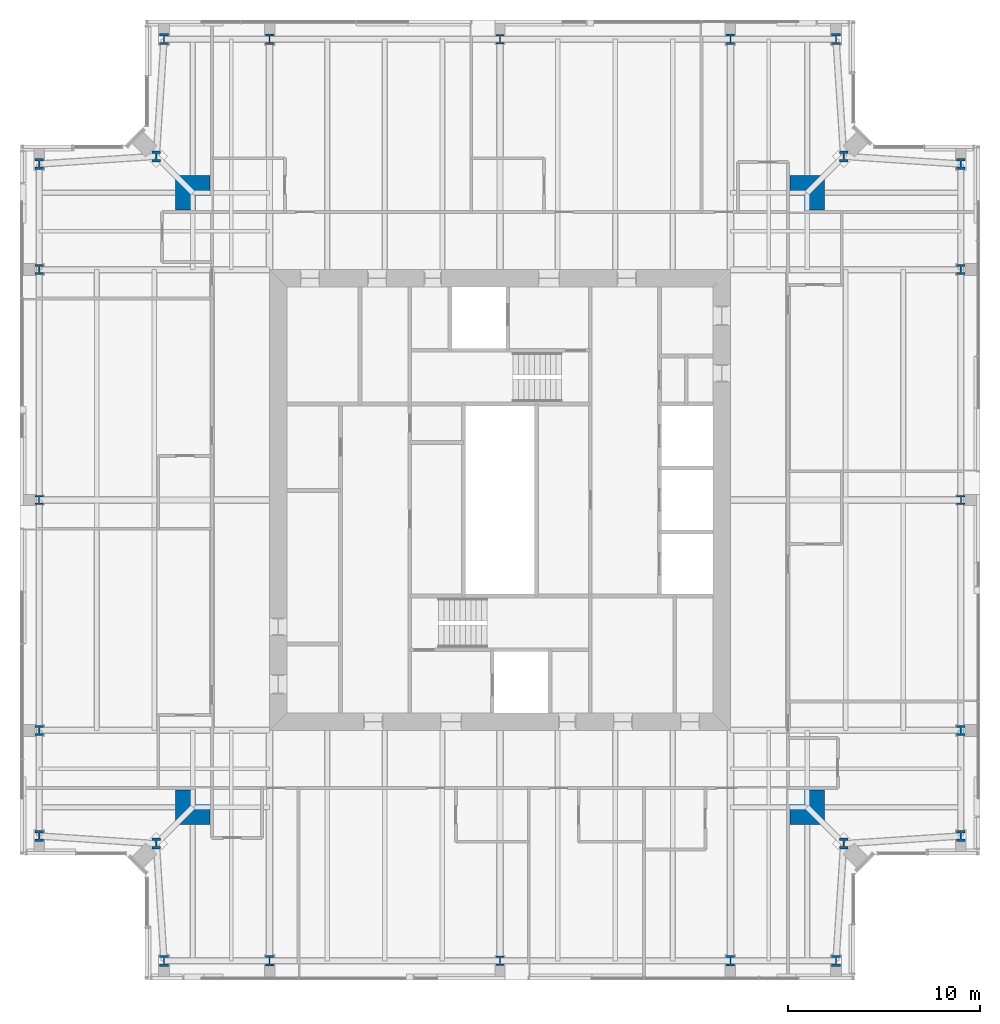
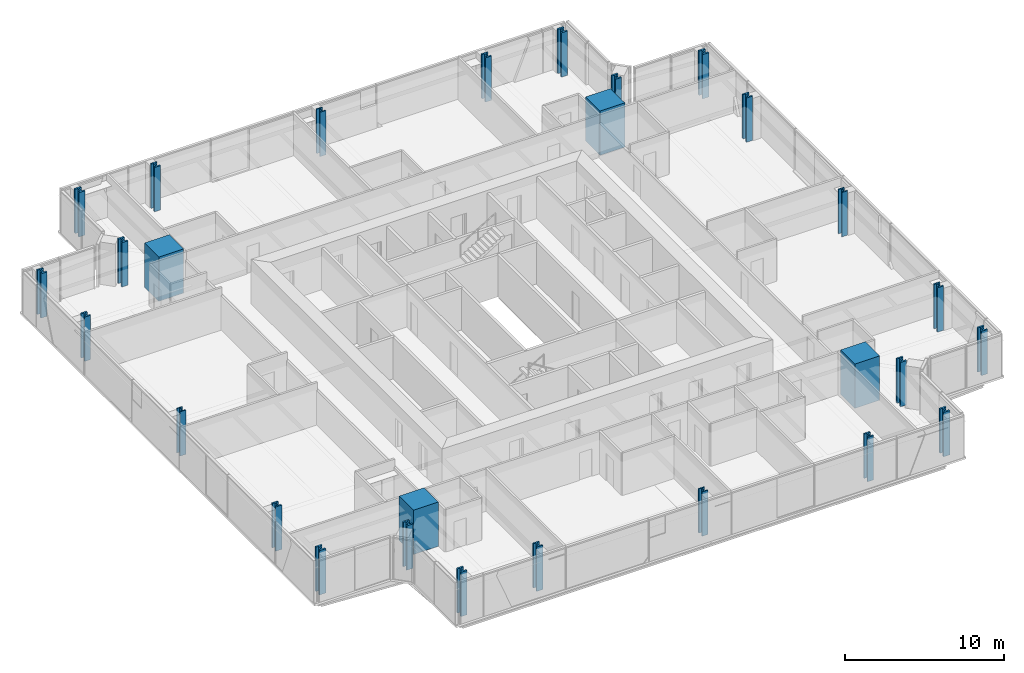
# One storey, part 1 of 20: 28 columns.
"""IFC4 building model written with IfcOpenShell, lengths in metres."""

from ifc_helpers import new_model, si_unit, direction, frame, origin, origin_2d, place, context, subcontext, project, spatial, rectangle, i_section, extrude, material, material_profile, profile_set, type_object, element, save


model = new_model("IFC4")

# Units and contexts
model_context = context("Model", 3, precision=1e-05, world=origin(), true_north=direction((0.0, 1.0)))
body_context = subcontext(model_context, "Body", "Model", "MODEL_VIEW")
ifc_project = project(units=[si_unit("LENGTHUNIT", "METRE"), si_unit("AREAUNIT", "SQUARE_METRE"), si_unit("VOLUMEUNIT", "CUBIC_METRE"), si_unit("PLANEANGLEUNIT", "RADIAN"), si_unit("MASSUNIT", "GRAM", prefix="KILO")], contexts=[model_context])

# Site, building, storey
site_placement = place(None, origin())
site = spatial("IfcSite", under=ifc_project, at=site_placement, CompositionType="ELEMENT")
building_placement = place(site_placement, origin())
building = spatial("IfcBuilding", under=site, at=building_placement, Name="Fenwick Lantern Interchange", CompositionType="ELEMENT")
storey_placement = place(building_placement, frame((0.0, 0.0, 279.800048828125)))
storey = spatial("IfcBuildingStorey", under=building, at=storey_placement, Name="L67", CompositionType="ELEMENT", Elevation=279.800048828125)

# Columns
ifc_material_1 = material(Name="Concrete f'c 70 MPa", Category="concrete")
ifc_material_profile_1 = material_profile(ifc_material_1, rectangle(XDim=1.800048828125, YDim=1.800048828125, at=origin_2d()), Name="RC1800X1800")
ifc_profile_set_1 = profile_set([ifc_material_profile_1], Name="Concrete f'c 70 MPa")
column_type_1 = type_object("IfcColumnType", Name="MEGA COLUMN RC1800X1800", PredefinedType="COLUMN", material=ifc_profile_set_1)
for number, where, z_axis, x_axis, name in (
    (1, (9.0, 9.0, 0.0), (0.0, 0.0, 1.0), (1.0, 0.0, 0.0), "L67/M1"),
    (2, (41.0, 9.0, 0.0), (0.0, 0.0, 1.0), (1.0, 0.0, 0.0), "L67/M2"),
    (3, (41.0, 41.0, 0.0), (0.0, 0.0, 1.0), (1.0, 0.0, 0.0), "L67/M3"),
    (4, (9.0, 41.0, 0.0), (0.0, 0.0, 1.0), (1.0, 0.0, 0.0), "L67/M4"),
):
    element("IfcColumn", number, at=place(storey_placement, frame(where, z_axis=z_axis, x_axis=x_axis)), inside=storey, type_object=column_type_1, Name=name, PredefinedType="COLUMN", context=body_context, shape_type="SweptSolid", body=[
        extrude(rectangle(XDim=1.800048828125, YDim=1.800048828125, at=origin_2d()), origin(), (0.0, 0.0, 1.0), 3.39990234375),
    ])
ifc_material_2 = material(Name="Steel ASTM A992 Grade 50", Category="steel")
ifc_material_profile_2 = material_profile(ifc_material_2, i_section(OverallWidth=0.424072265625, OverallDepth=0.47509765625, WebThickness=0.0478515625, FlangeThickness=0.0771484375, at=origin_2d()), Name="W14X426")
ifc_profile_set_2 = profile_set([ifc_material_profile_2], Name="Steel ASTM A992 Grade 50")
column_type_2 = type_object("IfcColumnType", Name="PERIMETER COLUMN W14X426", PredefinedType="COLUMN", material=ifc_profile_set_2)
for number, where, z_axis, x_axis, name in (
    (5, (25.0, 1.0, 0.0), (0.0, 0.0, 1.0), (1.0, 0.0, 0.0), "L67/CS3"),
    (6, (49.0, 25.0, 0.0), (0.0, 0.0, 1.0), (1.0, 0.0, 0.0), "L67/CE3"),
    (7, (25.0, 49.0, 0.0), (0.0, 0.0, 1.0), (1.0, 0.0, 0.0), "L67/CN3"),
    (8, (1.0, 25.0, 0.0), (0.0, 0.0, 1.0), (1.0, 0.0, 0.0), "L67/CW3"),
):
    element("IfcColumn", number, at=place(storey_placement, frame(where, z_axis=z_axis, x_axis=x_axis)), inside=storey, type_object=column_type_2, Name=name, PredefinedType="COLUMN", context=body_context, shape_type="SweptSolid", body=[
        extrude(i_section(OverallWidth=0.424072265625, OverallDepth=0.47509765625, WebThickness=0.0478515625, FlangeThickness=0.0771484375, at=origin_2d()), origin(), (0.0, 0.0, 1.0), 3.39990234375),
    ])
ifc_material_profile_3 = material_profile(ifc_material_2, i_section(OverallWidth=0.44189453125, OverallDepth=0.53076171875, WebThickness=0.06591796875, FlangeThickness=0.105712890625, at=origin_2d()), Name="W14X605")
ifc_profile_set_3 = profile_set([ifc_material_profile_3], Name="Steel ASTM A992 Grade 50")
column_type_3 = type_object("IfcColumnType", Name="PERIMETER COLUMN W14X605", PredefinedType="COLUMN", material=ifc_profile_set_3)
for number, where, z_axis, x_axis, name in (
    (9, (13.0, 1.0, 0.0), (0.0, 0.0, 1.0), (1.0, 0.0, 0.0), "L67/CS2"),
    (10, (37.0, 1.0, 0.0), (0.0, 0.0, 1.0), (1.0, 0.0, 0.0), "L67/CS4"),
    (11, (49.0, 13.0, 0.0), (0.0, 0.0, 1.0), (1.0, 0.0, 0.0), "L67/CE2"),
    (12, (49.0, 37.0, 0.0), (0.0, 0.0, 1.0), (1.0, 0.0, 0.0), "L67/CE4"),
    (13, (37.0, 49.0, 0.0), (0.0, 0.0, 1.0), (1.0, 0.0, 0.0), "L67/CN2"),
    (14, (13.0, 49.0, 0.0), (0.0, 0.0, 1.0), (1.0, 0.0, 0.0), "L67/CN4"),
    (15, (1.0, 37.0, 0.0), (0.0, 0.0, 1.0), (1.0, 0.0, 0.0), "L67/CW2"),
    (16, (1.0, 13.0, 0.0), (0.0, 0.0, 1.0), (1.0, 0.0, 0.0), "L67/CW4"),
):
    element("IfcColumn", number, at=place(storey_placement, frame(where, z_axis=z_axis, x_axis=x_axis)), inside=storey, type_object=column_type_3, Name=name, PredefinedType="COLUMN", context=body_context, shape_type="SweptSolid", body=[
        extrude(i_section(OverallWidth=0.44189453125, OverallDepth=0.53076171875, WebThickness=0.06591796875, FlangeThickness=0.105712890625, at=origin_2d()), origin(), (0.0, 0.0, 1.0), 3.39990234375),
    ])
ifc_material_profile_4 = material_profile(ifc_material_2, i_section(OverallWidth=0.45458984375, OverallDepth=0.56884765625, WebThickness=0.077880859375, FlangeThickness=0.124755859375, at=origin_2d()), Name="W14X730")
ifc_profile_set_4 = profile_set([ifc_material_profile_4], Name="Steel ASTM A992 Grade 50")
column_type_4 = type_object("IfcColumnType", Name="PERIMETER COLUMN W14X730", PredefinedType="COLUMN", material=ifc_profile_set_4)
for number, where, z_axis, x_axis, name in (
    (17, (7.5, 1.0, 0.0), (0.0, 0.0, 1.0), (1.0, 0.0, 0.0), "L67/CS1"),
    (18, (42.5, 1.0, 0.0), (0.0, 0.0, 1.0), (1.0, 0.0, 0.0), "L67/CS5"),
    (19, (42.89990234375, 7.10009765625, 0.0), (0.0, 0.0, 1.0), (1.0, 0.0, 0.0), "L67/CSR"),
    (20, (49.0, 7.5, 0.0), (0.0, 0.0, 1.0), (1.0, 0.0, 0.0), "L67/CE1"),
    (21, (49.0, 42.5, 0.0), (0.0, 0.0, 1.0), (1.0, 0.0, 0.0), "L67/CE5"),
    (22, (42.89990234375, 42.89990234375, 0.0), (0.0, 0.0, 1.0), (1.0, 0.0, 0.0), "L67/CER"),
    (23, (42.5, 49.0, 0.0), (0.0, 0.0, 1.0), (1.0, 0.0, 0.0), "L67/CN1"),
    (24, (7.5, 49.0, 0.0), (0.0, 0.0, 1.0), (1.0, 0.0, 0.0), "L67/CN5"),
    (25, (7.10009765625, 42.89990234375, 0.0), (0.0, 0.0, 1.0), (1.0, 0.0, 0.0), "L67/CNR"),
    (26, (1.0, 42.5, 0.0), (0.0, 0.0, 1.0), (1.0, 0.0, 0.0), "L67/CW1"),
    (27, (1.0, 7.5, 0.0), (0.0, 0.0, 1.0), (1.0, 0.0, 0.0), "L67/CW5"),
    (28, (7.10009765625, 7.10009765625, 0.0), (0.0, 0.0, 1.0), (1.0, 0.0, 0.0), "L67/CWR"),
):
    element("IfcColumn", number, at=place(storey_placement, frame(where, z_axis=z_axis, x_axis=x_axis)), inside=storey, type_object=column_type_4, Name=name, PredefinedType="COLUMN", context=body_context, shape_type="SweptSolid", body=[
        extrude(i_section(OverallWidth=0.45458984375, OverallDepth=0.56884765625, WebThickness=0.077880859375, FlangeThickness=0.124755859375, at=origin_2d()), origin(), (0.0, 0.0, 1.0), 3.39990234375),
    ])

save(model, "model.ifc")
